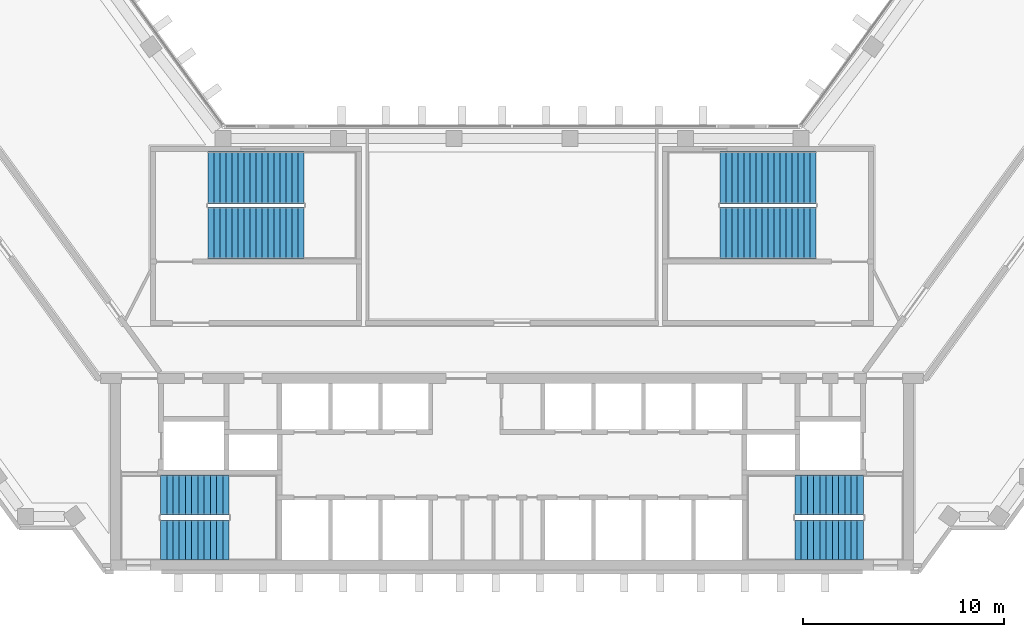
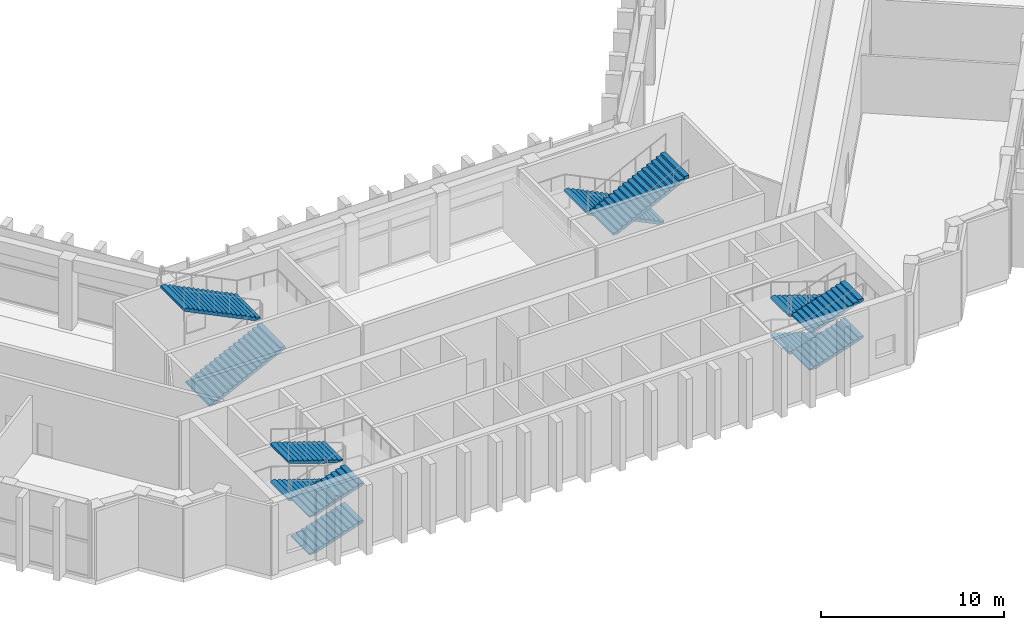
# One storey, part 12 of 14: 12 stair flights, 4 elements without a shape of their own.
"""IFC4 building model written with IfcOpenShell, lengths in metres."""

import ifcopenshell
import ifcopenshell.guid

model = None  # the IFC model being written
_history = None  # IfcOwnerHistory: only IFC2X3 demands one
_inside = {}  # id of a spatial element -> (the spatial element, [elements in it])
_under = {}  # id of a project, library or spatial element -> (it, [spatial elements below it])
_declared = {}  # id of a project -> (the project, [libraries it declares])
_typed = {}  # id of a type object -> (the type object, [elements of that type])
_made_of = {}  # id of a material, layer set ... -> (it, [elements and type objects made of it])


def new_model(schema):
    """Start an empty IFC model of exactly this schema.

    Asked for "IFC4X3", IfcOpenShell would pick the latest addendum, in which some entities
    have other attributes; the version numbers below select the first issue.
    IFC2X3 requires an IfcOwnerHistory on every rooted entity: one is made here for all.
    """
    global model, _history
    if schema == "IFC4X3":
        model = ifcopenshell.file(schema_version=(4, 3, 0, 0))
    else:
        model = ifcopenshell.file(schema=schema)
    _inside.clear()
    _under.clear()
    _declared.clear()
    _typed.clear()
    _made_of.clear()
    _history = None
    if model.schema == "IFC2X3":
        org = make("IfcOrganization", Name="unknown")
        user = make(
            "IfcPersonAndOrganization",
            ThePerson=make("IfcPerson", FamilyName="unknown"),
            TheOrganization=org,
        )
        app = make(
            "IfcApplication",
            ApplicationDeveloper=org,
            Version="unknown",
            ApplicationFullName="unknown",
            ApplicationIdentifier="unknown",
        )
        _history = make(
            "IfcOwnerHistory",
            OwningUser=user,
            OwningApplication=app,
            ChangeAction="ADDED",
            CreationDate=0,
        )
    return model


def make(cls, **values):
    """One entity of the class cls with the attributes given. An attribute that is None is left unset."""
    return model.create_entity(
        cls, **{name: value for name, value in values.items() if value is not None}
    )


def rooted(cls, **values):
    """An entity with a GlobalId (a new one), such as an element, a storey or a relation."""
    return make(cls, GlobalId=ifcopenshell.guid.new(), OwnerHistory=_history, **values)


def si_unit(unit_type, name, prefix=None):
    """IfcSIUnit, for example si_unit("LENGTHUNIT", "METRE", prefix="MILLI")."""
    return make("IfcSIUnit", UnitType=unit_type, Prefix=prefix, Name=name)


def assignment(units):
    """IfcUnitAssignment: the units of a project."""
    return None if units is None else make("IfcUnitAssignment", Units=units)


def point(xyz):
    """IfcCartesianPoint."""
    return None if xyz is None else make("IfcCartesianPoint", Coordinates=xyz)


def direction(xyz):
    """IfcDirection."""
    return None if xyz is None else make("IfcDirection", DirectionRatios=xyz)


def frame(location, z_axis=None, x_axis=None):
    """IfcAxis2Placement3D, a coordinate frame: its origin and axes. An axis left out is left unset."""
    return make(
        "IfcAxis2Placement3D",
        Location=point(location),
        Axis=direction(z_axis),
        RefDirection=direction(x_axis),
    )


def origin():
    """The frame at (0, 0, 0) with its axes left unset."""
    return frame((0.0, 0.0, 0.0))


def place(relative_to, where):
    """IfcLocalPlacement: puts the frame where relative to a parent placement (None: the world)."""
    return make(
        "IfcLocalPlacement", PlacementRelTo=relative_to, RelativePlacement=where
    )


def context(
    kind, dimensions, precision=None, world=None, true_north=None, identifier=None
):
    """IfcGeometricRepresentationContext, for example the 3D "Model" context."""
    return make(
        "IfcGeometricRepresentationContext",
        ContextIdentifier=identifier,
        ContextType=kind,
        CoordinateSpaceDimension=dimensions,
        Precision=precision,
        WorldCoordinateSystem=world,
        TrueNorth=true_north,
    )


def subcontext(parent, identifier, kind, view, scale=None):
    """IfcGeometricRepresentationSubContext, for example "Body" below "Model"."""
    return make(
        "IfcGeometricRepresentationSubContext",
        ContextIdentifier=identifier,
        ContextType=kind,
        ParentContext=parent,
        TargetScale=scale,
        TargetView=view,
    )


def project(units=None, contexts=None):
    """IfcProject with its units and contexts."""
    return rooted(
        "IfcProject",
        Name="project",
        RepresentationContexts=contexts,
        UnitsInContext=assignment(units),
    )


def spatial(cls, under=None, at=None, **own):
    """A site, building, storey or space (cls), placed at a placement, below another one or the project."""
    s = rooted(cls, ObjectPlacement=at, **own)
    if under is not None:
        _under.setdefault(under.id(), (under, []))[1].append(s)
    return s


def polyline(points):
    """IfcPolyline through the points."""
    return make("IfcPolyline", Points=[point(p) for p in points])


def outline(outer, holes=None, kind="AREA"):
    """IfcArbitraryClosedProfileDef: a profile drawn as a closed curve; with holes, ...WithVoids."""
    if holes is None:
        return make("IfcArbitraryClosedProfileDef", ProfileType=kind, OuterCurve=outer)
    return make(
        "IfcArbitraryProfileDefWithVoids",
        ProfileType=kind,
        OuterCurve=outer,
        InnerCurves=holes,
    )


def extrude(swept, where, along, depth):
    """IfcExtrudedAreaSolid: the profile swept, set in the frame where, extruded along a direction by depth."""
    return make(
        "IfcExtrudedAreaSolid",
        SweptArea=swept,
        Position=where,
        ExtrudedDirection=direction(along),
        Depth=depth,
    )


def shape(context_of_items, identifier, shape_type, items):
    """IfcShapeRepresentation: the items that make up one representation, for example the "Body"."""
    return make(
        "IfcShapeRepresentation",
        ContextOfItems=context_of_items,
        RepresentationIdentifier=identifier,
        RepresentationType=shape_type,
        Items=items,
    )


def material(Name=None, Category=None):
    """IfcMaterial."""
    return make("IfcMaterial", Name=Name, Category=Category)


def made_of(thing, what):
    """Note that an element or type object is made of a material, layer set ...; save() writes the relation."""
    if what is not None:
        _made_of.setdefault(what.id(), (what, []))[1].append(thing)
    return thing


def type_object(cls, material=None, **own):
    """A type object (cls), such as IfcWallType, which elements share."""
    return made_of(rooted(cls, **own), material)


def element(
    cls,
    number,
    at=None,
    inside=None,
    cuts=None,
    type_object=None,
    material=None,
    context=None,
    identifier="Body",
    shape_type=None,
    held_by="IfcProductDefinitionShape",
    body=None,
    shapes=None,
    **own,
):
    """One element of the class cls, such as IfcWall. Its Tag is "e" and its number.

    at: its placement. inside: the storey or other place that contains it. cuts: it is an
    opening in that element (IfcRelVoidsElement). A single representation is given by context,
    identifier, shape_type and body (its items); several are given by shapes. held_by: the class
    of the entity that holds the representations. save() writes the other relations.
    """
    e = rooted(cls, Tag="e%d" % number, ObjectPlacement=at, **own)
    if body is not None:
        shapes = [shape(context, identifier, shape_type, body)]
    if shapes is not None:
        e.Representation = make(held_by, Representations=shapes)
    if inside is not None:
        _inside.setdefault(inside.id(), (inside, []))[1].append(e)
    if cuts is not None:
        rooted(
            "IfcRelVoidsElement", RelatingBuildingElement=cuts, RelatedOpeningElement=e
        )
    if type_object is not None:
        _typed.setdefault(type_object.id(), (type_object, []))[1].append(e)
    return made_of(e, material)


def aggregate(whole, parts):
    """IfcRelAggregates: a whole, such as a stair, and the parts it consists of."""
    return rooted("IfcRelAggregates", RelatingObject=whole, RelatedObjects=parts)


def save(model, path):
    """Write the relations noted so far, then the file.

    IfcRelAggregates (storeys below a building ...), IfcRelContainedInSpatialStructure (elements
    in a storey), IfcRelDefinesByType, IfcRelAssociatesMaterial and IfcRelDeclares: one each for
    every whole, place, type object, material and project.
    """
    for whole, parts in _under.values():
        aggregate(whole, parts)
    for where, things in _inside.values():
        rooted(
            "IfcRelContainedInSpatialStructure",
            RelatedElements=things,
            RelatingStructure=where,
        )
    for kind, things in _typed.values():
        rooted("IfcRelDefinesByType", RelatedObjects=things, RelatingType=kind)
    for what, things in _made_of.values():
        rooted("IfcRelAssociatesMaterial", RelatedObjects=things, RelatingMaterial=what)
    for by, libraries in _declared.values():
        rooted("IfcRelDeclares", RelatingContext=by, RelatedDefinitions=libraries)
    model.write(path)


model = new_model("IFC4")

# Units and contexts
model_context = context("Model", 3, precision=1e-05, world=origin(), true_north=direction((0.0, 1.0)))
body_context = subcontext(model_context, "Body", "Model", "MODEL_VIEW")
ifc_project = project(units=[si_unit("LENGTHUNIT", "METRE"), si_unit("AREAUNIT", "SQUARE_METRE"), si_unit("VOLUMEUNIT", "CUBIC_METRE"), si_unit("PLANEANGLEUNIT", "RADIAN"), si_unit("MASSUNIT", "GRAM", prefix="KILO")], contexts=[model_context])

# Site, building, storey
site_placement = place(None, origin())
site = spatial("IfcSite", under=ifc_project, at=site_placement, CompositionType="ELEMENT")
building_placement = place(site_placement, origin())
building = spatial("IfcBuilding", under=site, at=building_placement, Name="Quipu Civic Tower", CompositionType="ELEMENT")
storey_placement = place(building_placement, frame((0.0, 0.0, 139.0)))
storey = spatial("IfcBuildingStorey", under=building, at=storey_placement, Name="L32", CompositionType="ELEMENT", Elevation=139.0)

# Stair, stair flights
ifc_material_1 = material(Name="Concrete C40/50", Category="concrete")
stair_type_1 = type_object("IfcStairType", Name="Half turn stair 2000", PredefinedType="HALF_TURN_STAIR", material=ifc_material_1)
stair_1_placement = place(storey_placement, origin())
stair_1 = element("IfcStair", 1, at=stair_1_placement, inside=storey, type_object=stair_type_1, Name="Exit stair 1", PredefinedType="HALF_TURN_STAIR")
ifc_material_2 = material(Name="Concrete C40/50", Category="concrete")
stair_flight_type_1 = type_object("IfcStairFlightType", Name="Stair flight 2000", PredefinedType="STRAIGHT", material=ifc_material_2)
stair_flight_1_placement = place(storey_placement, frame((-17.5, -9.5, 0.0), z_axis=(0.0, 0.0, 1.0), x_axis=(1.0, 0.0, 0.0)))
stair_flight_1 = element("IfcStairFlight", 2, at=stair_flight_1_placement, type_object=stair_flight_type_1, Name="ST-1 flight 1", NumberOfRisers=12, NumberOfTreads=11, PredefinedType="STRAIGHT", RiserHeight=0.104166667, TreadLength=0.31, context=body_context, shape_type="SweptSolid", body=[
    extrude(outline(polyline([(0.0, 0.0), (0.0, 0.104248046875), (0.31005859375, 0.104248046875), (0.31005859375, 0.208251953125), (0.6201171875, 0.208251953125), (0.6201171875, 0.3125), (0.929931640625, 0.3125), (0.929931640625, 0.416748046875), (1.239990234375, 0.416748046875), (1.239990234375, 0.520751953125), (1.550048828125, 0.520751953125), (1.550048828125, 0.625), (1.860107421875, 0.625), (1.860107421875, 0.729248046875), (2.169921875, 0.729248046875), (2.169921875, 0.833251953125), (2.47998046875, 0.833251953125), (2.47998046875, 0.9375), (2.7900390625, 0.9375), (2.7900390625, 1.041748046875), (3.10009765625, 1.041748046875), (3.10009765625, 1.145751953125), (3.409912109375, 1.145751953125), (3.409912109375, 1.25), (3.409912109375, 0.98779296875), (0.470703125, 0.0), (0.0, 0.0)])), frame((0.0, 1.0, 0.0), z_axis=(0.0, -1.0, 0.0), x_axis=(1.0, 0.0, 0.0)), (0.0, 0.0, 1.0), 2.0),
])
stair_flight_2_placement = place(storey_placement, frame((-14.090087890625, -7.25, 1.25), z_axis=(0.0, 0.0, 1.0), x_axis=(-1.0, 0.0, 0.0)))
stair_flight_2 = element("IfcStairFlight", 3, at=stair_flight_2_placement, type_object=stair_flight_type_1, Name="ST-1 flight 2", NumberOfRisers=12, NumberOfTreads=11, PredefinedType="STRAIGHT", RiserHeight=0.104166667, TreadLength=0.31, context=body_context, shape_type="SweptSolid", body=[
    extrude(outline(polyline([(0.0, 0.0), (0.0, 0.104248046875), (0.31005859375, 0.104248046875), (0.31005859375, 0.208251953125), (0.6201171875, 0.208251953125), (0.6201171875, 0.3125), (0.929931640625, 0.3125), (0.929931640625, 0.416748046875), (1.239990234375, 0.416748046875), (1.239990234375, 0.520751953125), (1.550048828125, 0.520751953125), (1.550048828125, 0.625), (1.860107421875, 0.625), (1.860107421875, 0.729248046875), (2.169921875, 0.729248046875), (2.169921875, 0.833251953125), (2.47998046875, 0.833251953125), (2.47998046875, 0.9375), (2.7900390625, 0.9375), (2.7900390625, 1.041748046875), (3.10009765625, 1.041748046875), (3.10009765625, 1.145751953125), (3.409912109375, 1.145751953125), (3.409912109375, 1.25), (3.409912109375, 0.98779296875), (0.470703125, 0.0), (0.0, 0.0)])), frame((0.0, 1.0, 0.0), z_axis=(0.0, -1.0, 0.0), x_axis=(1.0, 0.0, 0.0)), (0.0, 0.0, 1.0), 2.0),
])
stair_flight_3_placement = place(storey_placement, frame((-17.5, -9.5, 2.5), z_axis=(0.0, 0.0, 1.0), x_axis=(1.0, 0.0, 0.0)))
stair_flight_3 = element("IfcStairFlight", 4, at=stair_flight_3_placement, type_object=stair_flight_type_1, Name="ST-1 flight 3", NumberOfRisers=12, NumberOfTreads=11, PredefinedType="STRAIGHT", RiserHeight=0.104166667, TreadLength=0.31, context=body_context, shape_type="SweptSolid", body=[
    extrude(outline(polyline([(0.0, 0.0), (0.0, 0.104248046875), (0.31005859375, 0.104248046875), (0.31005859375, 0.208251953125), (0.6201171875, 0.208251953125), (0.6201171875, 0.3125), (0.929931640625, 0.3125), (0.929931640625, 0.416748046875), (1.239990234375, 0.416748046875), (1.239990234375, 0.520751953125), (1.550048828125, 0.520751953125), (1.550048828125, 0.625), (1.860107421875, 0.625), (1.860107421875, 0.729248046875), (2.169921875, 0.729248046875), (2.169921875, 0.833251953125), (2.47998046875, 0.833251953125), (2.47998046875, 0.9375), (2.7900390625, 0.9375), (2.7900390625, 1.041748046875), (3.10009765625, 1.041748046875), (3.10009765625, 1.145751953125), (3.409912109375, 1.145751953125), (3.409912109375, 1.25), (3.409912109375, 0.98779296875), (0.470703125, 0.0), (0.0, 0.0)])), frame((0.0, 1.0, 0.0), z_axis=(0.0, -1.0, 0.0), x_axis=(1.0, 0.0, 0.0)), (0.0, 0.0, 1.0), 2.0),
])
stair_flight_4_placement = place(storey_placement, frame((-14.090087890625, -7.25, 3.75), z_axis=(0.0, 0.0, 1.0), x_axis=(-1.0, 0.0, 0.0)))
stair_flight_4 = element("IfcStairFlight", 5, at=stair_flight_4_placement, type_object=stair_flight_type_1, Name="ST-1 flight 4", NumberOfRisers=12, NumberOfTreads=11, PredefinedType="STRAIGHT", RiserHeight=0.104166667, TreadLength=0.31, context=body_context, shape_type="SweptSolid", body=[
    extrude(outline(polyline([(0.0, 0.0), (0.0, 0.104248046875), (0.31005859375, 0.104248046875), (0.31005859375, 0.208251953125), (0.6201171875, 0.208251953125), (0.6201171875, 0.3125), (0.929931640625, 0.3125), (0.929931640625, 0.416748046875), (1.239990234375, 0.416748046875), (1.239990234375, 0.520751953125), (1.550048828125, 0.520751953125), (1.550048828125, 0.625), (1.860107421875, 0.625), (1.860107421875, 0.729248046875), (2.169921875, 0.729248046875), (2.169921875, 0.833251953125), (2.47998046875, 0.833251953125), (2.47998046875, 0.9375), (2.7900390625, 0.9375), (2.7900390625, 1.041748046875), (3.10009765625, 1.041748046875), (3.10009765625, 1.145751953125), (3.409912109375, 1.145751953125), (3.409912109375, 1.25), (3.409912109375, 0.98779296875), (0.470703125, 0.0), (0.0, 0.0)])), frame((0.0, 1.0, 0.0), z_axis=(0.0, -1.0, 0.0), x_axis=(1.0, 0.0, 0.0)), (0.0, 0.0, 1.0), 2.0),
])
aggregate(stair_1, [stair_flight_1, stair_flight_2, stair_flight_3, stair_flight_4])

stair_2_placement = place(storey_placement, origin())
stair_2 = element("IfcStair", 6, at=stair_2_placement, inside=storey, type_object=stair_type_1, Name="Exit stair 2", PredefinedType="HALF_TURN_STAIR")
stair_flight_5_placement = place(storey_placement, frame((17.5, -7.25, 0.0), z_axis=(0.0, 0.0, 1.0), x_axis=(-1.0, 0.0, 0.0)))
stair_flight_5 = element("IfcStairFlight", 7, at=stair_flight_5_placement, type_object=stair_flight_type_1, Name="ST-2 flight 1", NumberOfRisers=12, NumberOfTreads=11, PredefinedType="STRAIGHT", RiserHeight=0.104166667, TreadLength=0.31, context=body_context, shape_type="SweptSolid", body=[
    extrude(outline(polyline([(0.0, 0.0), (0.0, 0.104248046875), (0.31005859375, 0.104248046875), (0.31005859375, 0.208251953125), (0.6201171875, 0.208251953125), (0.6201171875, 0.3125), (0.929931640625, 0.3125), (0.929931640625, 0.416748046875), (1.239990234375, 0.416748046875), (1.239990234375, 0.520751953125), (1.550048828125, 0.520751953125), (1.550048828125, 0.625), (1.860107421875, 0.625), (1.860107421875, 0.729248046875), (2.169921875, 0.729248046875), (2.169921875, 0.833251953125), (2.47998046875, 0.833251953125), (2.47998046875, 0.9375), (2.7900390625, 0.9375), (2.7900390625, 1.041748046875), (3.10009765625, 1.041748046875), (3.10009765625, 1.145751953125), (3.409912109375, 1.145751953125), (3.409912109375, 1.25), (3.409912109375, 0.98779296875), (0.470703125, 0.0), (0.0, 0.0)])), frame((0.0, 1.0, 0.0), z_axis=(0.0, -1.0, 0.0), x_axis=(1.0, 0.0, 0.0)), (0.0, 0.0, 1.0), 2.0),
])
stair_flight_6_placement = place(storey_placement, frame((14.090087890625, -9.5, 1.25), z_axis=(0.0, 0.0, 1.0), x_axis=(1.0, 0.0, 0.0)))
stair_flight_6 = element("IfcStairFlight", 8, at=stair_flight_6_placement, type_object=stair_flight_type_1, Name="ST-2 flight 2", NumberOfRisers=12, NumberOfTreads=11, PredefinedType="STRAIGHT", RiserHeight=0.104166667, TreadLength=0.31, context=body_context, shape_type="SweptSolid", body=[
    extrude(outline(polyline([(0.0, 0.0), (0.0, 0.104248046875), (0.31005859375, 0.104248046875), (0.31005859375, 0.208251953125), (0.6201171875, 0.208251953125), (0.6201171875, 0.3125), (0.929931640625, 0.3125), (0.929931640625, 0.416748046875), (1.239990234375, 0.416748046875), (1.239990234375, 0.520751953125), (1.550048828125, 0.520751953125), (1.550048828125, 0.625), (1.860107421875, 0.625), (1.860107421875, 0.729248046875), (2.169921875, 0.729248046875), (2.169921875, 0.833251953125), (2.47998046875, 0.833251953125), (2.47998046875, 0.9375), (2.7900390625, 0.9375), (2.7900390625, 1.041748046875), (3.10009765625, 1.041748046875), (3.10009765625, 1.145751953125), (3.409912109375, 1.145751953125), (3.409912109375, 1.25), (3.409912109375, 0.98779296875), (0.470703125, 0.0), (0.0, 0.0)])), frame((0.0, 1.0, 0.0), z_axis=(0.0, -1.0, 0.0), x_axis=(1.0, 0.0, 0.0)), (0.0, 0.0, 1.0), 2.0),
])
stair_flight_7_placement = place(storey_placement, frame((17.5, -7.25, 2.5), z_axis=(0.0, 0.0, 1.0), x_axis=(-1.0, 0.0, 0.0)))
stair_flight_7 = element("IfcStairFlight", 9, at=stair_flight_7_placement, type_object=stair_flight_type_1, Name="ST-2 flight 3", NumberOfRisers=12, NumberOfTreads=11, PredefinedType="STRAIGHT", RiserHeight=0.104166667, TreadLength=0.31, context=body_context, shape_type="SweptSolid", body=[
    extrude(outline(polyline([(0.0, 0.0), (0.0, 0.104248046875), (0.31005859375, 0.104248046875), (0.31005859375, 0.208251953125), (0.6201171875, 0.208251953125), (0.6201171875, 0.3125), (0.929931640625, 0.3125), (0.929931640625, 0.416748046875), (1.239990234375, 0.416748046875), (1.239990234375, 0.520751953125), (1.550048828125, 0.520751953125), (1.550048828125, 0.625), (1.860107421875, 0.625), (1.860107421875, 0.729248046875), (2.169921875, 0.729248046875), (2.169921875, 0.833251953125), (2.47998046875, 0.833251953125), (2.47998046875, 0.9375), (2.7900390625, 0.9375), (2.7900390625, 1.041748046875), (3.10009765625, 1.041748046875), (3.10009765625, 1.145751953125), (3.409912109375, 1.145751953125), (3.409912109375, 1.25), (3.409912109375, 0.98779296875), (0.470703125, 0.0), (0.0, 0.0)])), frame((0.0, 1.0, 0.0), z_axis=(0.0, -1.0, 0.0), x_axis=(1.0, 0.0, 0.0)), (0.0, 0.0, 1.0), 2.0),
])
stair_flight_8_placement = place(storey_placement, frame((14.090087890625, -9.5, 3.75), z_axis=(0.0, 0.0, 1.0), x_axis=(1.0, 0.0, 0.0)))
stair_flight_8 = element("IfcStairFlight", 10, at=stair_flight_8_placement, type_object=stair_flight_type_1, Name="ST-2 flight 4", NumberOfRisers=12, NumberOfTreads=11, PredefinedType="STRAIGHT", RiserHeight=0.104166667, TreadLength=0.31, context=body_context, shape_type="SweptSolid", body=[
    extrude(outline(polyline([(0.0, 0.0), (0.0, 0.104248046875), (0.31005859375, 0.104248046875), (0.31005859375, 0.208251953125), (0.6201171875, 0.208251953125), (0.6201171875, 0.3125), (0.929931640625, 0.3125), (0.929931640625, 0.416748046875), (1.239990234375, 0.416748046875), (1.239990234375, 0.520751953125), (1.550048828125, 0.520751953125), (1.550048828125, 0.625), (1.860107421875, 0.625), (1.860107421875, 0.729248046875), (2.169921875, 0.729248046875), (2.169921875, 0.833251953125), (2.47998046875, 0.833251953125), (2.47998046875, 0.9375), (2.7900390625, 0.9375), (2.7900390625, 1.041748046875), (3.10009765625, 1.041748046875), (3.10009765625, 1.145751953125), (3.409912109375, 1.145751953125), (3.409912109375, 1.25), (3.409912109375, 0.98779296875), (0.470703125, 0.0), (0.0, 0.0)])), frame((0.0, 1.0, 0.0), z_axis=(0.0, -1.0, 0.0), x_axis=(1.0, 0.0, 0.0)), (0.0, 0.0, 1.0), 2.0),
])
aggregate(stair_2, [stair_flight_5, stair_flight_6, stair_flight_7, stair_flight_8])

ifc_material_3 = material(Name="Concrete C40/50", Category="concrete")
stair_type_2 = type_object("IfcStairType", Name="Half turn stair 2600", PredefinedType="HALF_TURN_STAIR", material=ifc_material_3)
stair_3_placement = place(storey_placement, origin())
stair_3 = element("IfcStair", 11, at=stair_3_placement, inside=storey, type_object=stair_type_2, Name="Exit stair 3", PredefinedType="HALF_TURN_STAIR")
ifc_material_4 = material(Name="Concrete C40/50", Category="concrete")
stair_flight_type_2 = type_object("IfcStairFlightType", Name="Stair flight 2600", PredefinedType="STRAIGHT", material=ifc_material_4)
stair_flight_9_placement = place(storey_placement, frame((-15.14990234375, 5.800048828125, 0.0), z_axis=(0.0, 0.0, 1.0), x_axis=(1.0, 0.0, 0.0)))
stair_flight_9 = element("IfcStairFlight", 12, at=stair_flight_9_placement, type_object=stair_flight_type_2, Name="ST-3 flight 1", NumberOfRisers=17, NumberOfTreads=16, PredefinedType="STRAIGHT", RiserHeight=0.147058824, TreadLength=0.3, context=body_context, shape_type="SweptSolid", body=[
    extrude(outline(polyline([(0.0, 0.0), (0.0, 0.14697265625), (0.300048828125, 0.14697265625), (0.300048828125, 0.294189453125), (0.60009765625, 0.294189453125), (0.60009765625, 0.441162109375), (0.89990234375, 0.441162109375), (0.89990234375, 0.588134765625), (1.199951171875, 0.588134765625), (1.199951171875, 0.7353515625), (1.5, 0.7353515625), (1.5, 0.88232421875), (1.800048828125, 0.88232421875), (1.800048828125, 1.029296875), (2.10009765625, 1.029296875), (2.10009765625, 1.176513671875), (2.39990234375, 1.176513671875), (2.39990234375, 1.323486328125), (2.699951171875, 1.323486328125), (2.699951171875, 1.470703125), (3.0, 1.470703125), (3.0, 1.61767578125), (3.300048828125, 1.61767578125), (3.300048828125, 1.7646484375), (3.60009765625, 1.7646484375), (3.60009765625, 1.911865234375), (3.89990234375, 1.911865234375), (3.89990234375, 2.058837890625), (4.199951171875, 2.058837890625), (4.199951171875, 2.205810546875), (4.5, 2.205810546875), (4.5, 2.35302734375), (4.800048828125, 2.35302734375), (4.800048828125, 2.5), (4.800048828125, 2.18603515625), (0.340576171875, 0.0), (0.0, 0.0)])), frame((0.0, 1.300048828125, 0.0), z_axis=(0.0, -1.0, 0.0), x_axis=(1.0, 0.0, 0.0)), (0.0, 0.0, 1.0), 2.60009765625),
])
stair_flight_10_placement = place(storey_placement, frame((-10.35009765625, 8.550048828125, 2.5), z_axis=(0.0, 0.0, 1.0), x_axis=(-1.0, 0.0, 0.0)))
stair_flight_10 = element("IfcStairFlight", 13, at=stair_flight_10_placement, type_object=stair_flight_type_2, Name="ST-3 flight 2", NumberOfRisers=17, NumberOfTreads=16, PredefinedType="STRAIGHT", RiserHeight=0.147058824, TreadLength=0.3, context=body_context, shape_type="SweptSolid", body=[
    extrude(outline(polyline([(0.0, 0.0), (0.0, 0.14697265625), (0.300048828125, 0.14697265625), (0.300048828125, 0.294189453125), (0.60009765625, 0.294189453125), (0.60009765625, 0.441162109375), (0.89990234375, 0.441162109375), (0.89990234375, 0.588134765625), (1.199951171875, 0.588134765625), (1.199951171875, 0.7353515625), (1.5, 0.7353515625), (1.5, 0.88232421875), (1.800048828125, 0.88232421875), (1.800048828125, 1.029296875), (2.10009765625, 1.029296875), (2.10009765625, 1.176513671875), (2.39990234375, 1.176513671875), (2.39990234375, 1.323486328125), (2.699951171875, 1.323486328125), (2.699951171875, 1.470703125), (3.0, 1.470703125), (3.0, 1.61767578125), (3.300048828125, 1.61767578125), (3.300048828125, 1.7646484375), (3.60009765625, 1.7646484375), (3.60009765625, 1.911865234375), (3.89990234375, 1.911865234375), (3.89990234375, 2.058837890625), (4.199951171875, 2.058837890625), (4.199951171875, 2.205810546875), (4.5, 2.205810546875), (4.5, 2.35302734375), (4.800048828125, 2.35302734375), (4.800048828125, 2.5), (4.800048828125, 2.18603515625), (0.340576171875, 0.0), (0.0, 0.0)])), frame((0.0, 1.300048828125, 0.0), z_axis=(0.0, -1.0, 0.0), x_axis=(1.0, 0.0, 0.0)), (0.0, 0.0, 1.0), 2.60009765625),
])
aggregate(stair_3, [stair_flight_9, stair_flight_10])

stair_4_placement = place(storey_placement, origin())
stair_4 = element("IfcStair", 14, at=stair_4_placement, inside=storey, type_object=stair_type_2, Name="Exit stair 4", PredefinedType="HALF_TURN_STAIR")
stair_flight_11_placement = place(storey_placement, frame((15.14990234375, 8.550048828125, 0.0), z_axis=(0.0, 0.0, 1.0), x_axis=(-1.0, 0.0, 0.0)))
stair_flight_11 = element("IfcStairFlight", 15, at=stair_flight_11_placement, type_object=stair_flight_type_2, Name="ST-4 flight 1", NumberOfRisers=17, NumberOfTreads=16, PredefinedType="STRAIGHT", RiserHeight=0.147058824, TreadLength=0.3, context=body_context, shape_type="SweptSolid", body=[
    extrude(outline(polyline([(0.0, 0.0), (0.0, 0.14697265625), (0.300048828125, 0.14697265625), (0.300048828125, 0.294189453125), (0.60009765625, 0.294189453125), (0.60009765625, 0.441162109375), (0.89990234375, 0.441162109375), (0.89990234375, 0.588134765625), (1.199951171875, 0.588134765625), (1.199951171875, 0.7353515625), (1.5, 0.7353515625), (1.5, 0.88232421875), (1.800048828125, 0.88232421875), (1.800048828125, 1.029296875), (2.10009765625, 1.029296875), (2.10009765625, 1.176513671875), (2.39990234375, 1.176513671875), (2.39990234375, 1.323486328125), (2.699951171875, 1.323486328125), (2.699951171875, 1.470703125), (3.0, 1.470703125), (3.0, 1.61767578125), (3.300048828125, 1.61767578125), (3.300048828125, 1.7646484375), (3.60009765625, 1.7646484375), (3.60009765625, 1.911865234375), (3.89990234375, 1.911865234375), (3.89990234375, 2.058837890625), (4.199951171875, 2.058837890625), (4.199951171875, 2.205810546875), (4.5, 2.205810546875), (4.5, 2.35302734375), (4.800048828125, 2.35302734375), (4.800048828125, 2.5), (4.800048828125, 2.18603515625), (0.340576171875, 0.0), (0.0, 0.0)])), frame((0.0, 1.300048828125, 0.0), z_axis=(0.0, -1.0, 0.0), x_axis=(1.0, 0.0, 0.0)), (0.0, 0.0, 1.0), 2.60009765625),
])
stair_flight_12_placement = place(storey_placement, frame((10.35009765625, 5.800048828125, 2.5), z_axis=(0.0, 0.0, 1.0), x_axis=(1.0, 0.0, 0.0)))
stair_flight_12 = element("IfcStairFlight", 16, at=stair_flight_12_placement, type_object=stair_flight_type_2, Name="ST-4 flight 2", NumberOfRisers=17, NumberOfTreads=16, PredefinedType="STRAIGHT", RiserHeight=0.147058824, TreadLength=0.3, context=body_context, shape_type="SweptSolid", body=[
    extrude(outline(polyline([(0.0, 0.0), (0.0, 0.14697265625), (0.300048828125, 0.14697265625), (0.300048828125, 0.294189453125), (0.60009765625, 0.294189453125), (0.60009765625, 0.441162109375), (0.89990234375, 0.441162109375), (0.89990234375, 0.588134765625), (1.199951171875, 0.588134765625), (1.199951171875, 0.7353515625), (1.5, 0.7353515625), (1.5, 0.88232421875), (1.800048828125, 0.88232421875), (1.800048828125, 1.029296875), (2.10009765625, 1.029296875), (2.10009765625, 1.176513671875), (2.39990234375, 1.176513671875), (2.39990234375, 1.323486328125), (2.699951171875, 1.323486328125), (2.699951171875, 1.470703125), (3.0, 1.470703125), (3.0, 1.61767578125), (3.300048828125, 1.61767578125), (3.300048828125, 1.7646484375), (3.60009765625, 1.7646484375), (3.60009765625, 1.911865234375), (3.89990234375, 1.911865234375), (3.89990234375, 2.058837890625), (4.199951171875, 2.058837890625), (4.199951171875, 2.205810546875), (4.5, 2.205810546875), (4.5, 2.35302734375), (4.800048828125, 2.35302734375), (4.800048828125, 2.5), (4.800048828125, 2.18603515625), (0.340576171875, 0.0), (0.0, 0.0)])), frame((0.0, 1.300048828125, 0.0), z_axis=(0.0, -1.0, 0.0), x_axis=(1.0, 0.0, 0.0)), (0.0, 0.0, 1.0), 2.60009765625),
])
aggregate(stair_4, [stair_flight_11, stair_flight_12])

save(model, "model.ifc")
